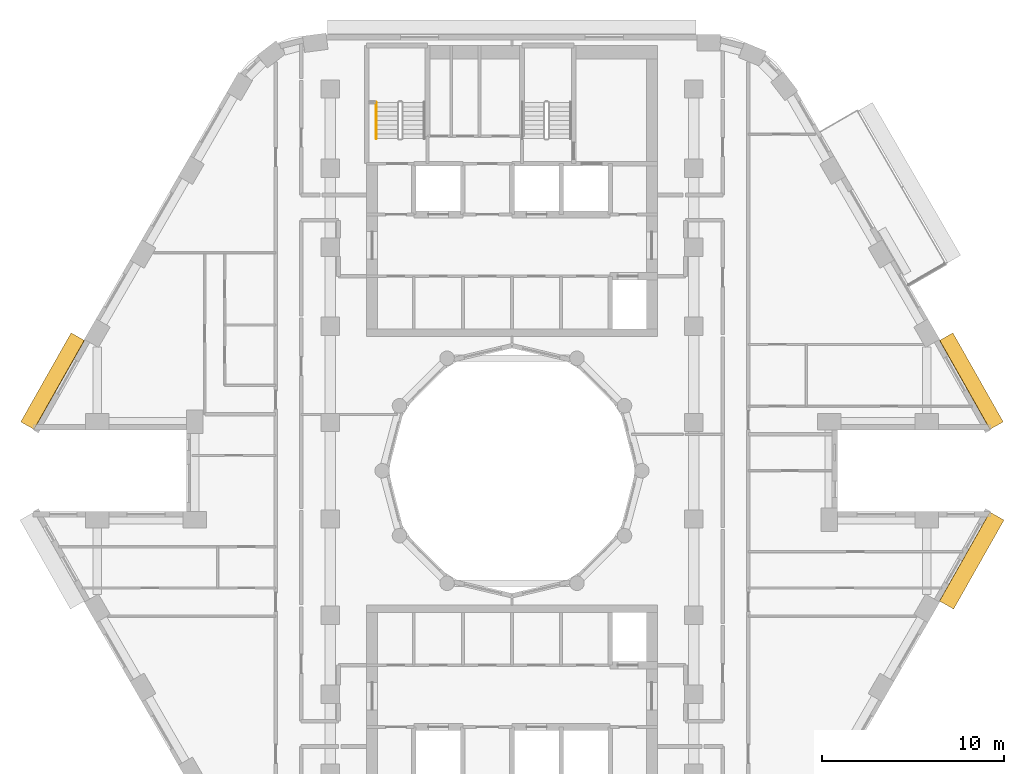
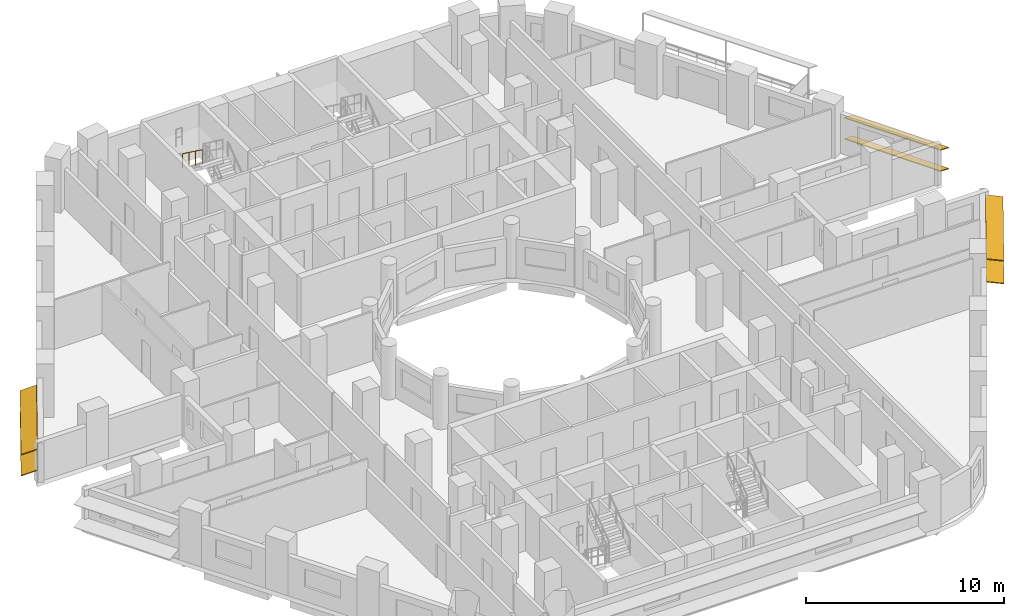
# One storey, part 13 of 14: 6 shading devices, 1 railing.
"""IFC4 building model written with IfcOpenShell, lengths in metres."""

from ifc_helpers import new_model, si_unit, direction, frame, origin, origin_2d, place, context, subcontext, project, spatial, rectangle, circle, extrude, material, material_profile, profile_set, type_object, element, save


model = new_model("IFC4")

# Units and contexts
model_context = context("Model", 3, precision=1e-05, world=origin(), true_north=direction((0.0, 1.0)))
body_context = subcontext(model_context, "Body", "Model", "MODEL_VIEW")
ifc_project = project(units=[si_unit("LENGTHUNIT", "METRE"), si_unit("AREAUNIT", "SQUARE_METRE"), si_unit("VOLUMEUNIT", "CUBIC_METRE"), si_unit("PLANEANGLEUNIT", "RADIAN"), si_unit("MASSUNIT", "GRAM", prefix="KILO")], contexts=[model_context])

# Site, building, storey
site_placement = place(None, origin())
site = spatial("IfcSite", under=ifc_project, at=site_placement, CompositionType="ELEMENT")
building_placement = place(site_placement, origin())
building = spatial("IfcBuilding", under=site, at=building_placement, Name="Nakaniwa Court", CompositionType="ELEMENT")
storey_placement = place(building_placement, frame((0.0, 0.0, 163.5)))
storey = spatial("IfcBuildingStorey", under=building, at=storey_placement, Name="L43", CompositionType="ELEMENT", Elevation=163.5)

# Shading devices
ifc_material_1 = material(Name="Perforated charcoal ceramic louvre blade")
ifc_material_profile = material_profile(ifc_material_1, rectangle(XDim=0.89990234375, YDim=0.050048828125, at=origin_2d()), Name="Perforated ceramic louvre blade")
ifc_profile_set = profile_set([ifc_material_profile], Name="Perforated charcoal ceramic louvre blade")
shading_device_type = type_object("IfcShadingDeviceType", Name="Perforated ceramic louvre blade", PredefinedType="JALOUSIE", material=ifc_profile_set)
for number, where, z_axis, x_axis, name in (
    (1, (106.662353515625, 82.48046875, 0.550048828125), (-0.49253187421, 0.870294405869, 0.0), (-0.804627241022, -0.455368390728, 0.38107037635), "L43 perforated ceramic louvre blade w02 1"),
    (2, (106.662353515625, 82.48046875, 1.845458984375), (-0.49253187421, 0.870294405869, 0.0), (-0.804627241022, -0.455368390728, 0.38107037635), "L43 perforated ceramic louvre blade w02 2"),
    (3, (56.10888671875, 87.377197265625, 0.550048828125), (-0.49253187421, -0.870294405869, 0.0), (0.804627241022, -0.455368390728, 0.38107037635), "L43 perforated ceramic louvre blade w14 1"),
    (4, (56.10888671875, 87.377197265625, 1.845458984375), (-0.49253187421, -0.870294405869, 0.0), (0.804627241022, -0.455368390728, 0.38107037635), "L43 perforated ceramic louvre blade w14 2"),
    (5, (103.911865234375, 72.611083984375, 0.550048828125), (0.49253187421, 0.870294405869, 0.0), (-0.862649339692, 0.488205247786, 0.132256390257), "L43 perforated ceramic louvre blade w32 1"),
    (6, (103.911865234375, 72.611083984375, 1.955810546875), (0.49253187421, 0.870294405869, 0.0), (-0.862649339692, 0.488205247786, 0.132256390257), "L43 perforated ceramic louvre blade w32 2"),
):
    element("IfcShadingDevice", number, at=place(storey_placement, frame(where, z_axis=z_axis, x_axis=x_axis)), inside=storey, type_object=shading_device_type, Name=name, PredefinedType="JALOUSIE", context=body_context, shape_type="SweptSolid", body=[
        extrude(rectangle(XDim=0.89990234375, YDim=0.050048828125, at=origin_2d()), origin(), (0.0, 0.0, 1.0), 5.62646484375),
    ])

# Railing
ifc_material_2 = material(Name="Black powder coated steel handrail", Category="steel")
railing_type = type_object("IfcRailingType", Name="Stair handrail 900", PredefinedType="HANDRAIL", material=ifc_material_2)
railing_placement = place(storey_placement, frame((72.52490234375, 100.27490234375, 1.833251953125)))
element("IfcRailing", 7, at=railing_placement, inside=storey, type_object=railing_type, Name="L43 ST1 stair handrail 2", PredefinedType="HANDRAIL", context=body_context, shape_type="SweptSolid", body=[
    extrude(circle(Radius=0.02392578125, at=origin_2d()), frame((0.0, 0.0, 0.8759765625), z_axis=(0.0, -0.806379959628, 0.591397802423), x_axis=(1.0, 0.0, 0.0)), (0.0, 0.0, 1.0), 2.480224609375),
    extrude(circle(Radius=0.02099609375, at=origin_2d()), origin(), (0.0, 0.0, 1.0), 0.851806640625),
    extrude(circle(Radius=0.02099609375, at=origin_2d()), frame((0.0, -0.666748046875, 0.489013671875)), (0.0, 0.0, 1.0), 0.851806640625),
    extrude(circle(Radius=0.02099609375, at=origin_2d()), frame((0.0, -1.333251953125, 0.977783203125)), (0.0, 0.0, 1.0), 0.851806640625),
    extrude(circle(Radius=0.02099609375, at=origin_2d()), frame((0.0, -2.0, 1.466796875)), (0.0, 0.0, 1.0), 0.851806640625),
])

save(model, "model.ifc")
